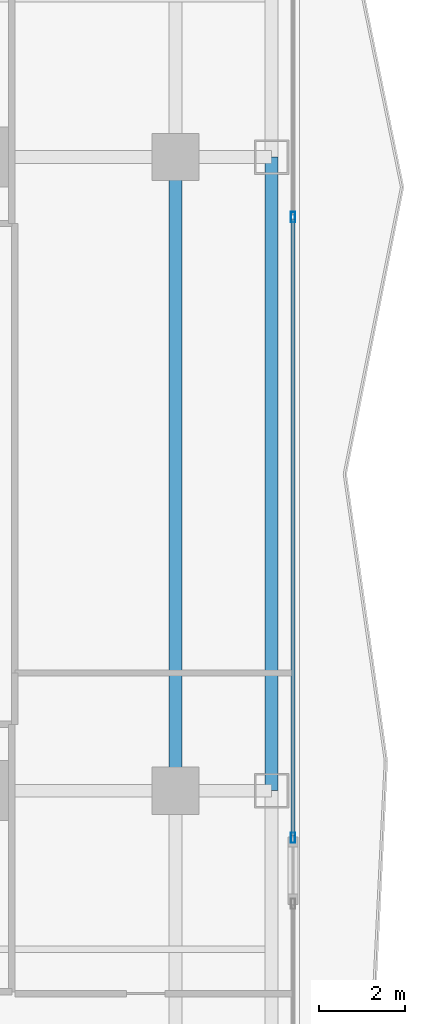
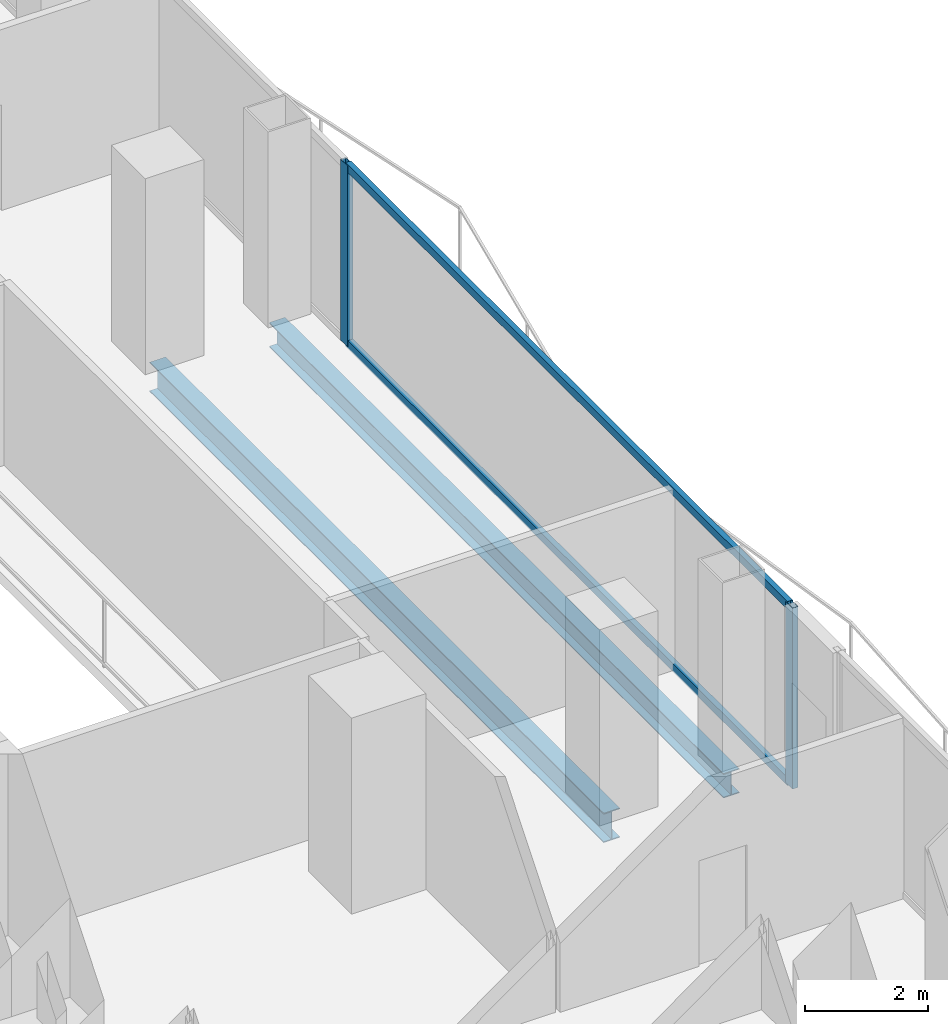
# One storey, part 12 of 29: 4 members, 2 beams, 1 element without a shape of its own.
"""IFC4 building model written with IfcOpenShell, lengths in metres."""

from ifc_helpers import new_model, si_unit, direction, frame, origin, origin_2d, place, context, subcontext, project, spatial, hollow_rectangle, i_section, extrude, material, layer, layer_set, material_profile, profile_set, type_object, element, aggregate, save


model = new_model("IFC4")

# Units and contexts
model_context = context("Model", 3, precision=1e-05, world=origin(), true_north=direction((0.0, 1.0)))
body_context = subcontext(model_context, "Body", "Model", "MODEL_VIEW")
ifc_project = project(units=[si_unit("LENGTHUNIT", "METRE"), si_unit("AREAUNIT", "SQUARE_METRE"), si_unit("VOLUMEUNIT", "CUBIC_METRE"), si_unit("PLANEANGLEUNIT", "RADIAN"), si_unit("MASSUNIT", "GRAM", prefix="KILO")], contexts=[model_context])

# Site, building, storey
site_placement = place(None, origin())
site = spatial("IfcSite", under=ifc_project, at=site_placement, CompositionType="ELEMENT")
building_placement = place(site_placement, origin())
building = spatial("IfcBuilding", under=site, at=building_placement, Name="Khorvyn Point Tower", CompositionType="ELEMENT")
storey_placement = place(building_placement, frame((0.0, 0.0, 73.5)))
storey = spatial("IfcBuildingStorey", under=building, at=storey_placement, Name="L19", CompositionType="ELEMENT", Elevation=73.5)

# Curtain wall, members
ifc_material_1 = material(Name="Anodised aluminium 6063-T6 and laminated Low-E glass", Category="aluminium")
ifc_layer = layer(ifc_material_1, 0.18994140625)
ifc_layer_set = layer_set([ifc_layer], Name="Stick-Built Finned Residential Curtain Wall CW-SYS-02")
curtain_wall_type = type_object("IfcCurtainWallType", Name="Stick-Built Finned Residential Curtain Wall CW-SYS-02", PredefinedType="NOTDEFINED", material=ifc_layer_set)
curtain_wall_placement = place(storey_placement, origin())
curtain_wall = element("IfcCurtainWall", 1, at=curtain_wall_placement, inside=storey, type_object=curtain_wall_type, Name="Curtain Wall", PredefinedType="NOTDEFINED")
ifc_material_2 = material(Name="Anodised aluminium 6063-T6", Category="aluminium")
ifc_material_profile_1 = material_profile(ifc_material_2, hollow_rectangle(XDim=0.10009765625, YDim=0.239990234375, WallThickness=0.0048828125, at=origin_2d()))
ifc_profile_set_1 = profile_set([ifc_material_profile_1], Name="Anodised aluminium 6063-T6 ALU-MUL-100x240")
member_type_1 = type_object("IfcMemberType", Name="Anodised Aluminium 6063-T6 Mullion ALU-MUL-100x240", PredefinedType="MULLION", material=ifc_profile_set_1)
member_1_placement = place(storey_placement, frame((22.14990234375, 6.0009765625, 0.0), z_axis=(0.0, 0.0, 1.0), x_axis=(1.0, 0.0, 0.0)))
member_1 = element("IfcMember", 2, at=member_1_placement, type_object=member_type_1, Name="Transom", PredefinedType="MULLION", context=body_context, shape_type="SweptSolid", body=[
    extrude(hollow_rectangle(XDim=0.10009765625, YDim=0.239990234375, WallThickness=0.0048828125, at=origin_2d()), origin(), (0.0, 0.0, 1.0), 3.60009765625),
])
member_2_placement = place(storey_placement, frame((22.14990234375, -8.498046875, 0.0), z_axis=(0.0, 0.0, 1.0), x_axis=(1.0, 0.0, 0.0)))
member_2 = element("IfcMember", 3, at=member_2_placement, type_object=member_type_1, Name="Transom", PredefinedType="MULLION", context=body_context, shape_type="SweptSolid", body=[
    extrude(hollow_rectangle(XDim=0.10009765625, YDim=0.239990234375, WallThickness=0.0048828125, at=origin_2d()), origin(), (0.0, 0.0, 1.0), 3.60009765625),
])
ifc_material_profile_2 = material_profile(ifc_material_2, hollow_rectangle(XDim=0.10009765625, YDim=0.159912109375, WallThickness=0.00439453125, at=origin_2d()))
ifc_profile_set_2 = profile_set([ifc_material_profile_2], Name="Anodised aluminium 6063-T6 ALU-TRN-100x160")
member_type_2 = type_object("IfcMemberType", Name="Anodised Aluminium 6063-T6 Transom ALU-TRN-100x160", PredefinedType="USERDEFINED", material=ifc_profile_set_2)
member_3_placement = place(storey_placement, frame((22.14990234375, 5.950927734375, 0.050048828125), z_axis=(0.0, -1.0, 0.0), x_axis=(1.0, 0.0, 0.0)))
member_3 = element("IfcMember", 4, at=member_3_placement, type_object=member_type_2, Name="Transom", ObjectType="TRANSOM", PredefinedType="USERDEFINED", context=body_context, shape_type="SweptSolid", body=[
    extrude(hollow_rectangle(XDim=0.10009765625, YDim=0.159912109375, WallThickness=0.00439453125, at=origin_2d()), origin(), (0.0, 0.0, 1.0), 14.39892578125),
])
member_4_placement = place(storey_placement, frame((22.14990234375, 5.950927734375, 3.550048828125), z_axis=(0.0, -1.0, 0.0), x_axis=(1.0, 0.0, 0.0)))
member_4 = element("IfcMember", 5, at=member_4_placement, type_object=member_type_2, Name="Transom", ObjectType="TRANSOM", PredefinedType="USERDEFINED", context=body_context, shape_type="SweptSolid", body=[
    extrude(hollow_rectangle(XDim=0.10009765625, YDim=0.159912109375, WallThickness=0.00439453125, at=origin_2d()), origin(), (0.0, 0.0, 1.0), 14.39892578125),
])
aggregate(curtain_wall, [member_1, member_2, member_3, member_4])

# Beams
ifc_material_3 = material(Name="Steel S355", Category="steel")
ifc_material_profile_3 = material_profile(ifc_material_3, i_section(OverallWidth=0.300048828125, OverallDepth=0.587890625, WebThickness=0.011962890625, FlangeThickness=0.02001953125, at=origin_2d()))
ifc_profile_set_3 = profile_set([ifc_material_profile_3], Name="Steel S355 H588x300x12x20")
beam_type_1 = type_object("IfcBeamType", Name="Steel S355 Beam H588x300x12x20", PredefinedType="BEAM", material=ifc_profile_set_3)
beam_1_placement = place(storey_placement, frame((19.39990234375, -7.39990234375, -0.513916015625), z_axis=(0.0, 1.0, 0.0), x_axis=(-1.0, 0.0, 0.0)))
element("IfcBeam", 6, at=beam_1_placement, inside=storey, type_object=beam_type_1, Name="Beam", PredefinedType="BEAM", context=body_context, shape_type="SweptSolid", body=[
    extrude(i_section(OverallWidth=0.300048828125, OverallDepth=0.587890625, WebThickness=0.011962890625, FlangeThickness=0.02001953125, at=origin_2d()), origin(), (0.0, 0.0, 1.0), 14.7998046875),
])
ifc_material_profile_4 = material_profile(ifc_material_3, i_section(OverallWidth=0.300048828125, OverallDepth=0.488037109375, WebThickness=0.010986328125, FlangeThickness=0.01806640625, at=origin_2d()))
ifc_profile_set_4 = profile_set([ifc_material_profile_4], Name="Steel S355 H488x300x11x18")
beam_type_2 = type_object("IfcBeamType", Name="Steel S355 Spandrel H488x300x11x18", PredefinedType="SPANDREL", material=ifc_profile_set_4)
beam_2_placement = place(storey_placement, frame((21.64990234375, -7.39990234375, -0.464111328125), z_axis=(0.0, 1.0, 0.0), x_axis=(-1.0, 0.0, 0.0)))
element("IfcBeam", 7, at=beam_2_placement, inside=storey, type_object=beam_type_2, Name="Beam", PredefinedType="SPANDREL", context=body_context, shape_type="SweptSolid", body=[
    extrude(i_section(OverallWidth=0.300048828125, OverallDepth=0.488037109375, WebThickness=0.010986328125, FlangeThickness=0.01806640625, at=origin_2d()), origin(), (0.0, 0.0, 1.0), 14.7998046875),
])

save(model, "model.ifc")
